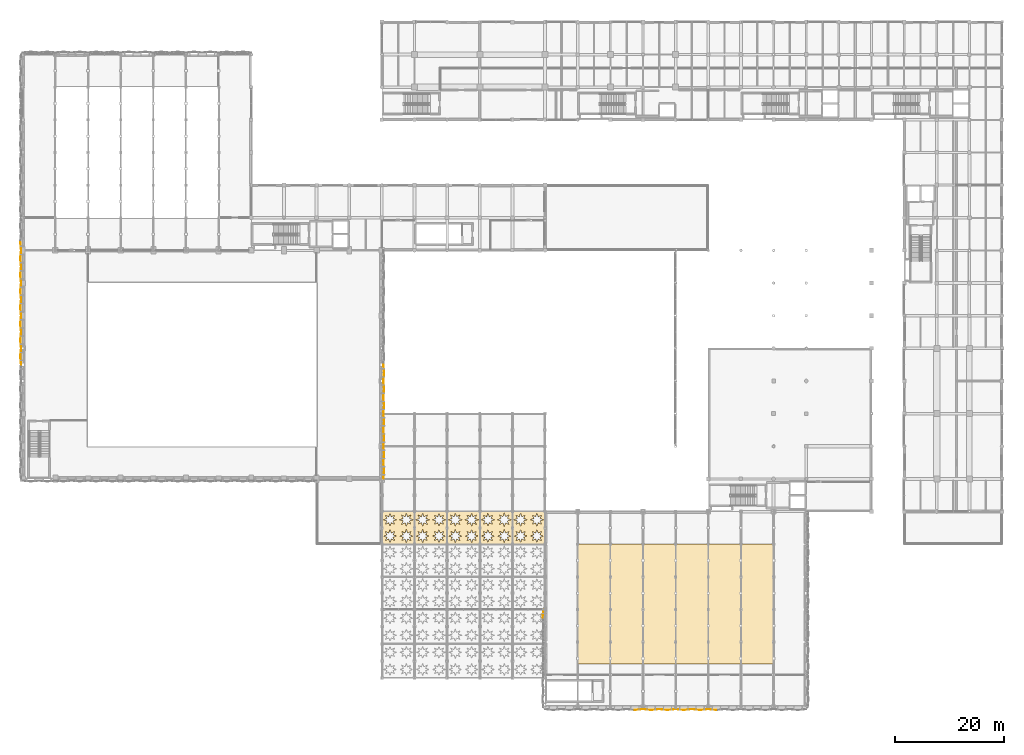
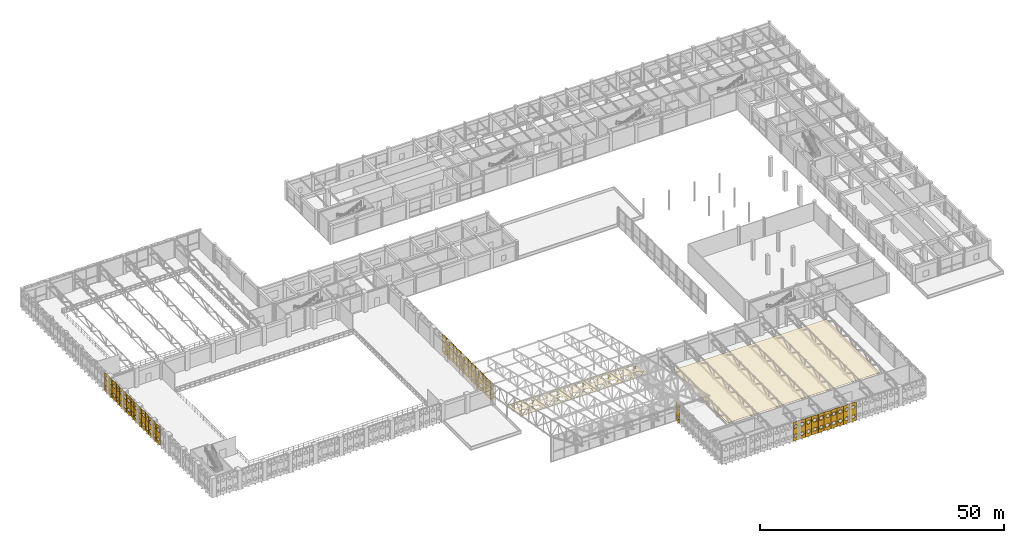
# One storey, part 117 of 123: 46 coverings.
"""IFC4 building model written with IfcOpenShell, lengths in metres."""

from ifc_helpers import new_model, si_unit, direction, frame, origin, place, context, subcontext, project, spatial, polyline, outline, extrude, material, layer, layer_set, type_object, element, save


model = new_model("IFC4")

# Units and contexts
model_context = context("Model", 3, precision=1e-05, world=origin(), true_north=direction((0.0, 1.0)))
body_context = subcontext(model_context, "Body", "Model", "MODEL_VIEW")
ifc_project = project(units=[si_unit("LENGTHUNIT", "METRE"), si_unit("AREAUNIT", "SQUARE_METRE"), si_unit("VOLUMEUNIT", "CUBIC_METRE"), si_unit("PLANEANGLEUNIT", "RADIAN"), si_unit("MASSUNIT", "GRAM", prefix="KILO"), si_unit("THERMODYNAMICTEMPERATUREUNIT", "KELVIN"), si_unit("POWERUNIT", "WATT")], contexts=[model_context])

# Site, building, storey
site_placement = place(None, origin())
site = spatial("IfcSite", under=ifc_project, at=site_placement, CompositionType="ELEMENT")
building_placement = place(site_placement, origin())
building = spatial("IfcBuilding", under=site, at=building_placement, Name="Phaisarnlok Congress Hotel", CompositionType="ELEMENT")
storey_placement = place(building_placement, frame((0.0, 0.0, 15.0)))
storey = spatial("IfcBuildingStorey", under=building, at=storey_placement, Name="L03", CompositionType="ELEMENT", Elevation=15.0)

# Coverings
ifc_material_1 = material(Name="Perforated Timber & Mineral-Fibre Acoustic Ceiling", Category="wood")
ifc_layer_1 = layer(ifc_material_1, 0.01806640625, Name="Perforated Timber & Mineral-Fibre Acoustic Ceiling")
ifc_layer_set_1 = layer_set([ifc_layer_1], Name="Perforated Timber & Mineral-Fibre Acoustic Ceiling")
covering_type_1 = type_object("IfcCoveringType", Name="CLG-AC-18", PredefinedType="CEILING", material=ifc_layer_set_1)
covering_placement = place(storey_placement, frame((0.0, 0.0, 3.199951171875)))
element("IfcCovering", 1, at=covering_placement, inside=storey, type_object=covering_type_1, Name="Suspended ceiling CLG-01 (L03)", PredefinedType="CEILING", context=body_context, shape_type="SweptSolid", body=[
    extrude(outline(polyline([(102.0, 8.0), (102.0, 30.0), (138.0, 30.0), (138.0, 8.0), (102.0, 8.0)])), origin(), (0.0, 0.0, 1.0), 0.01806640625),
])
ifc_material_2 = material(Name="Perforated Acoustic Aluminium Soffit Panel", Category="aluminium")
ifc_layer_2 = layer(ifc_material_2, 0.044921875, Name="Perforated Acoustic Aluminium Soffit Panel")
ifc_layer_set_2 = layer_set([ifc_layer_2], Name="Perforated Acoustic Aluminium Soffit Panel")
covering_type_2 = type_object("IfcCoveringType", Name="COV-SOFFIT-STAR", PredefinedType="CLADDING", material=ifc_layer_set_2)
for number, where, z_axis, x_axis, name in (
    (2, (66.0, 36.0, 3.219970703125), (0.0, -0.175030745743, -0.984562968044), (1.0, 0.0, 0.0), "South wing roof star-pierced acoustic soffit panel CL-01"),
    (3, (72.0, 36.0, 3.219970703125), (0.0, -0.175030745743, -0.984562968044), (1.0, 0.0, 0.0), "South wing roof star-pierced acoustic soffit panel CL-01"),
    (4, (78.0, 36.0, 3.219970703125), (0.0, -0.175030745743, -0.984562968044), (1.0, 0.0, 0.0), "South wing roof star-pierced acoustic soffit panel CL-01"),
    (5, (84.0, 36.0, 3.219970703125), (0.0, -0.175030745743, -0.984562968044), (1.0, 0.0, 0.0), "South wing roof star-pierced acoustic soffit panel CL-01"),
    (6, (90.0, 36.0, 3.219970703125), (0.0, -0.175030745743, -0.984562968044), (1.0, 0.0, 0.0), "South wing roof star-pierced acoustic soffit panel CL-01"),
):
    element("IfcCovering", number, at=place(storey_placement, frame(where, z_axis=z_axis, x_axis=x_axis)), inside=storey, type_object=covering_type_2, Name=name, PredefinedType="CLADDING", context=body_context, shape_type="SweptSolid", body=[
        extrude(outline(polyline([(0.0, 0.0), (6.0, 0.0), (6.0, 6.094074421585321), (0.0, 6.094074421585321), (0.0, 0.0)]), holes=[polyline([(2.0455, 1.2976), (2.3697, 0.6538), (1.7259, 0.9781), (1.5, 0.2935), (1.2741, 0.9781), (0.6303, 0.6538), (0.9545, 1.2976), (0.27, 1.5235), (0.9545, 1.7495), (0.6303, 2.3933), (1.2741, 2.069), (1.5, 2.7535), (1.7259, 2.069), (2.3697, 2.3933), (2.0455, 1.7495), (2.73, 1.5235), (2.0455, 1.2976)]), polyline([(2.0455, 4.3446), (2.3697, 3.7008), (1.7259, 4.0251), (1.5, 3.3406), (1.2741, 4.0251), (0.6303, 3.7008), (0.9545, 4.3446), (0.27, 4.5706), (0.9545, 4.7965), (0.6303, 5.4403), (1.2741, 5.116), (1.5, 5.8006), (1.7259, 5.116), (2.3697, 5.4403), (2.0455, 4.7965), (2.73, 4.5706), (2.0455, 4.3446)]), polyline([(5.0455, 1.2976), (5.3697, 0.6538), (4.7259, 0.9781), (4.5, 0.2935), (4.2741, 0.9781), (3.6303, 0.6538), (3.9545, 1.2976), (3.27, 1.5235), (3.9545, 1.7495), (3.6303, 2.3933), (4.2741, 2.069), (4.5, 2.7535), (4.7259, 2.069), (5.3697, 2.3933), (5.0455, 1.7495), (5.73, 1.5235), (5.0455, 1.2976)]), polyline([(5.0455, 4.3446), (5.3697, 3.7008), (4.7259, 4.0251), (4.5, 3.3406), (4.2741, 4.0251), (3.6303, 3.7008), (3.9545, 4.3446), (3.27, 4.5706), (3.9545, 4.7965), (3.6303, 5.4403), (4.2741, 5.116), (4.5, 5.8006), (4.7259, 5.116), (5.3697, 5.4403), (5.0455, 4.7965), (5.73, 4.5706), (5.0455, 4.3446)])]), origin(), (0.0, 0.0, 1.0), 0.044921875),
    ])
ifc_material_3 = material(Name="PVDF White Perforated Aluminium Alloy 5052", Category="aluminium")
ifc_layer_3 = layer(ifc_material_3, 0.0400390625, Name="PVDF White Perforated Aluminium Alloy 5052")
ifc_layer_set_3 = layer_set([ifc_layer_3], Name="PVDF White Perforated Aluminium Alloy 5052")
covering_type_3 = type_object("IfcCoveringType", Name="COV-STAR-FOLD", PredefinedType="CLADDING", material=ifc_layer_set_3)
for number, where, z_axis, x_axis, name in (
    (7, (-0.300048828125, 63.0, 0.06005859375), (0.994517863207, 0.104566819602, 0.0), (-0.104566819602, 0.994517863207, 0.0), "Folded star-perforated hall screen SS-02 (V1W L03)"),
    (8, (-0.457763671875, 64.5, 0.06005859375), (0.994517863207, -0.104566819602, 0.0), (0.104566819602, 0.994517863207, 0.0), "Folded star-perforated hall screen SS-02 (V1W L03)"),
    (9, (-0.300048828125, 66.0, 0.06005859375), (0.994517863207, 0.104566819602, 0.0), (-0.104566819602, 0.994517863207, 0.0), "Folded star-perforated hall screen SS-02 (V1W L03)"),
    (10, (-0.457763671875, 67.5, 0.06005859375), (0.994517863207, -0.104566819602, 0.0), (0.104566819602, 0.994517863207, 0.0), "Folded star-perforated hall screen SS-02 (V1W L03)"),
    (11, (-0.300048828125, 69.0, 0.06005859375), (0.994517863207, 0.104566819602, 0.0), (-0.104566819602, 0.994517863207, 0.0), "Folded star-perforated hall screen SS-02 (V1W L03)"),
    (12, (-0.457763671875, 70.5, 0.06005859375), (0.994517863207, -0.104566819602, 0.0), (0.104566819602, 0.994517863207, 0.0), "Folded star-perforated hall screen SS-02 (V1W L03)"),
    (13, (-0.300048828125, 72.0, 0.06005859375), (0.994517863207, 0.104566819602, 0.0), (-0.104566819602, 0.994517863207, 0.0), "Folded star-perforated hall screen SS-02 (V1W L03)"),
    (14, (-0.457763671875, 73.5, 0.06005859375), (0.994517863207, -0.104566819602, 0.0), (0.104566819602, 0.994517863207, 0.0), "Folded star-perforated hall screen SS-02 (V1W L03)"),
    (15, (-0.300048828125, 75.0, 0.06005859375), (0.994517863207, 0.104566819602, 0.0), (-0.104566819602, 0.994517863207, 0.0), "Folded star-perforated hall screen SS-02 (V1W L03)"),
    (16, (-0.457763671875, 76.5, 0.06005859375), (0.994517863207, -0.104566819602, 0.0), (0.104566819602, 0.994517863207, 0.0), "Folded star-perforated hall screen SS-02 (V1W L03)"),
    (17, (-0.300048828125, 78.0, 0.06005859375), (0.994517863207, 0.104566819602, 0.0), (-0.104566819602, 0.994517863207, 0.0), "Folded star-perforated hall screen SS-02 (V1W L03)"),
    (18, (-0.457763671875, 79.5, 0.06005859375), (0.994517863207, -0.104566819602, 0.0), (0.104566819602, 0.994517863207, 0.0), "Folded star-perforated hall screen SS-02 (V1W L03)"),
    (19, (-0.300048828125, 81.0, 0.06005859375), (0.994517863207, 0.104566819602, 0.0), (-0.104566819602, 0.994517863207, 0.0), "Folded star-perforated hall screen SS-02 (V1W L03)"),
    (20, (-0.457763671875, 82.5, 0.06005859375), (0.994517863207, -0.104566819602, 0.0), (0.104566819602, 0.994517863207, 0.0), "Folded star-perforated hall screen SS-02 (V1W L03)"),
    (21, (66.457763671875, 43.5, 0.06005859375), (-0.994517863207, 0.104566819602, 0.0), (-0.104566819602, -0.994517863207, 0.0), "Folded star-perforated hall screen SS-02 (V1E L03)"),
    (22, (66.300048828125, 45.0, 0.06005859375), (-0.994517863207, -0.104566819602, 0.0), (0.104566819602, -0.994517863207, 0.0), "Folded star-perforated hall screen SS-02 (V1E L03)"),
    (23, (66.457763671875, 46.5, 0.06005859375), (-0.994517863207, 0.104566819602, 0.0), (-0.104566819602, -0.994517863207, 0.0), "Folded star-perforated hall screen SS-02 (V1E L03)"),
    (24, (66.300048828125, 48.0, 0.06005859375), (-0.994517863207, -0.104566819602, 0.0), (0.104566819602, -0.994517863207, 0.0), "Folded star-perforated hall screen SS-02 (V1E L03)"),
    (25, (66.457763671875, 49.5, 0.06005859375), (-0.994517863207, 0.104566819602, 0.0), (-0.104566819602, -0.994517863207, 0.0), "Folded star-perforated hall screen SS-02 (V1E L03)"),
    (26, (66.300048828125, 51.0, 0.06005859375), (-0.994517863207, -0.104566819602, 0.0), (0.104566819602, -0.994517863207, 0.0), "Folded star-perforated hall screen SS-02 (V1E L03)"),
    (27, (66.457763671875, 52.5, 0.06005859375), (-0.994517863207, 0.104566819602, 0.0), (-0.104566819602, -0.994517863207, 0.0), "Folded star-perforated hall screen SS-02 (V1E L03)"),
    (28, (66.300048828125, 54.0, 0.06005859375), (-0.994517863207, -0.104566819602, 0.0), (0.104566819602, -0.994517863207, 0.0), "Folded star-perforated hall screen SS-02 (V1E L03)"),
    (29, (66.457763671875, 55.5, 0.06005859375), (-0.994517863207, 0.104566819602, 0.0), (-0.104566819602, -0.994517863207, 0.0), "Folded star-perforated hall screen SS-02 (V1E L03)"),
    (30, (66.300048828125, 57.0, 0.06005859375), (-0.994517863207, -0.104566819602, 0.0), (0.104566819602, -0.994517863207, 0.0), "Folded star-perforated hall screen SS-02 (V1E L03)"),
    (31, (66.457763671875, 58.5, 0.06005859375), (-0.994517863207, 0.104566819602, 0.0), (-0.104566819602, -0.994517863207, 0.0), "Folded star-perforated hall screen SS-02 (V1E L03)"),
    (32, (66.300048828125, 60.0, 0.06005859375), (-0.994517863207, -0.104566819602, 0.0), (0.104566819602, -0.994517863207, 0.0), "Folded star-perforated hall screen SS-02 (V1E L03)"),
    (33, (66.457763671875, 61.5, 0.06005859375), (-0.994517863207, 0.104566819602, 0.0), (-0.104566819602, -0.994517863207, 0.0), "Folded star-perforated hall screen SS-02 (V1E L03)"),
    (34, (66.300048828125, 63.0, 0.06005859375), (-0.994517863207, -0.104566819602, 0.0), (0.104566819602, -0.994517863207, 0.0), "Folded star-perforated hall screen SS-02 (V1E L03)"),
    (35, (112.5, -0.457763671875, 0.06005859375), (0.104566819602, -0.994517863207, 0.0), (0.994517863207, 0.104566819602, 0.0), "Folded star-perforated hall screen SS-02 (V2S L03)"),
    (36, (114.0, -0.300048828125, 0.06005859375), (-0.104566819602, -0.994517863207, 0.0), (0.994517863207, -0.104566819602, 0.0), "Folded star-perforated hall screen SS-02 (V2S L03)"),
    (37, (115.5, -0.457763671875, 0.06005859375), (0.104566819602, -0.994517863207, 0.0), (0.994517863207, 0.104566819602, 0.0), "Folded star-perforated hall screen SS-02 (V2S L03)"),
    (38, (117.0, -0.300048828125, 0.06005859375), (-0.104566819602, -0.994517863207, 0.0), (0.994517863207, -0.104566819602, 0.0), "Folded star-perforated hall screen SS-02 (V2S L03)"),
    (39, (118.5, -0.457763671875, 0.06005859375), (0.104566819602, -0.994517863207, 0.0), (0.994517863207, 0.104566819602, 0.0), "Folded star-perforated hall screen SS-02 (V2S L03)"),
    (40, (120.0, -0.300048828125, 0.06005859375), (-0.104566819602, -0.994517863207, 0.0), (0.994517863207, -0.104566819602, 0.0), "Folded star-perforated hall screen SS-02 (V2S L03)"),
    (41, (121.5, -0.457763671875, 0.06005859375), (0.104566819602, -0.994517863207, 0.0), (0.994517863207, 0.104566819602, 0.0), "Folded star-perforated hall screen SS-02 (V2S L03)"),
    (42, (123.0, -0.300048828125, 0.06005859375), (-0.104566819602, -0.994517863207, 0.0), (0.994517863207, -0.104566819602, 0.0), "Folded star-perforated hall screen SS-02 (V2S L03)"),
    (43, (124.5, -0.457763671875, 0.06005859375), (0.104566819602, -0.994517863207, 0.0), (0.994517863207, 0.104566819602, 0.0), "Folded star-perforated hall screen SS-02 (V2S L03)"),
    (44, (126.0, -0.300048828125, 0.06005859375), (-0.104566819602, -0.994517863207, 0.0), (0.994517863207, -0.104566819602, 0.0), "Folded star-perforated hall screen SS-02 (V2S L03)"),
    (45, (95.542236328125, 16.5, 0.06005859375), (0.994517863207, -0.104566819602, 0.0), (0.104566819602, 0.994517863207, 0.0), "Folded star-perforated hall screen SS-02 (V2W L03)"),
    (46, (-0.300048828125, 84.0, 0.06005859375), (0.994517863207, 0.104566819602, 0.0), (-0.104566819602, 0.994517863207, 0.0), "Folded star-perforated hall screen SS-02 (V3W L03)"),
):
    element("IfcCovering", number, at=place(storey_placement, frame(where, z_axis=z_axis, x_axis=x_axis)), inside=storey, type_object=covering_type_3, Name=name, PredefinedType="CLADDING", context=body_context, shape_type="SweptSolid", body=[
        extrude(outline(polyline([(0.0, 0.0), (1.5082685344258453, 0.0), (1.5082685344258453, 4.659912109375), (0.0, 4.659912109375), (0.0, 0.0)]), holes=[polyline([(1.0351, 1.0486), (1.2021, 0.7171), (0.8705, 0.8841), (0.7541, 0.5315), (0.6378, 0.8841), (0.3062, 0.7171), (0.4732, 1.0486), (0.1207, 1.165), (0.4732, 1.2814), (0.3062, 1.6129), (0.6378, 1.4459), (0.7541, 1.7985), (0.8705, 1.4459), (1.2021, 1.6129), (1.0351, 1.2814), (1.3876, 1.165), (1.0351, 1.0486)]), polyline([(1.0351, 3.3786), (1.2021, 3.0471), (0.8705, 3.2141), (0.7541, 2.8615), (0.6378, 3.2141), (0.3062, 3.0471), (0.4732, 3.3786), (0.1207, 3.495), (0.4732, 3.6114), (0.3062, 3.9429), (0.6378, 3.7759), (0.7541, 4.1285), (0.8705, 3.7759), (1.2021, 3.9429), (1.0351, 3.6114), (1.3876, 3.495), (1.0351, 3.3786)])]), origin(), (0.0, 0.0, 1.0), 0.0400390625),
    ])

save(model, "model.ifc")
